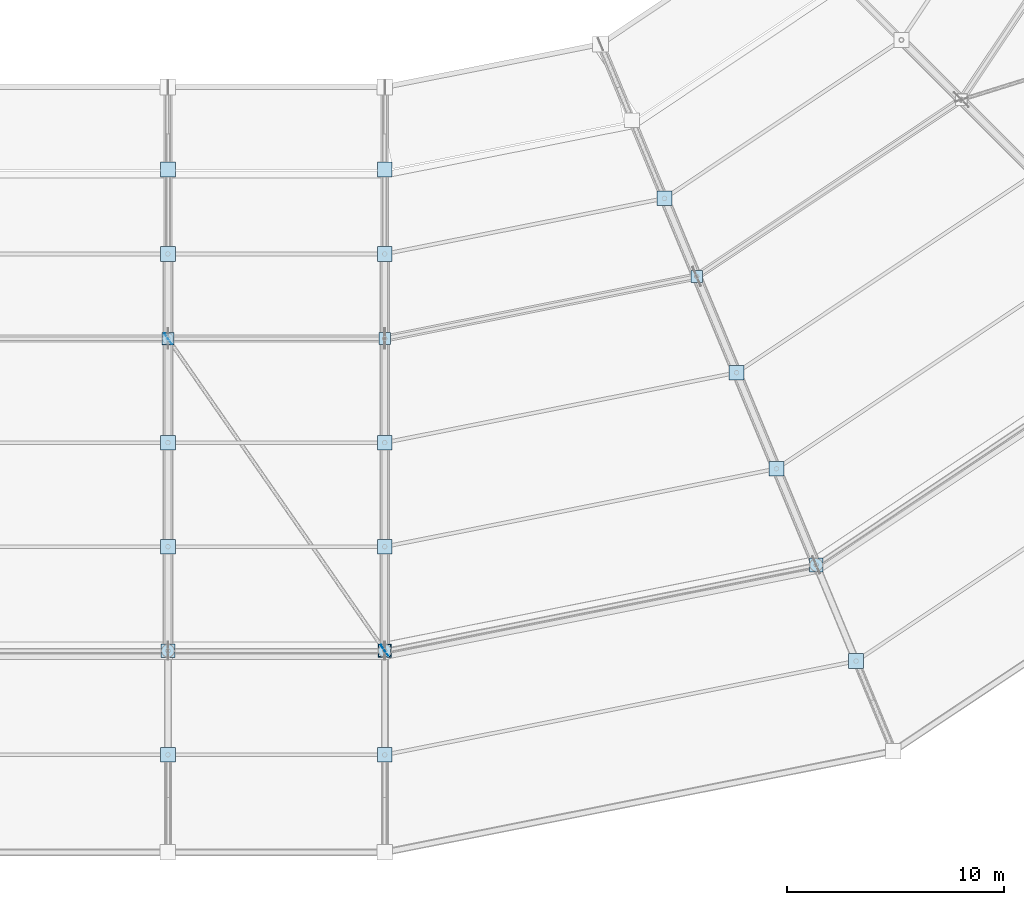
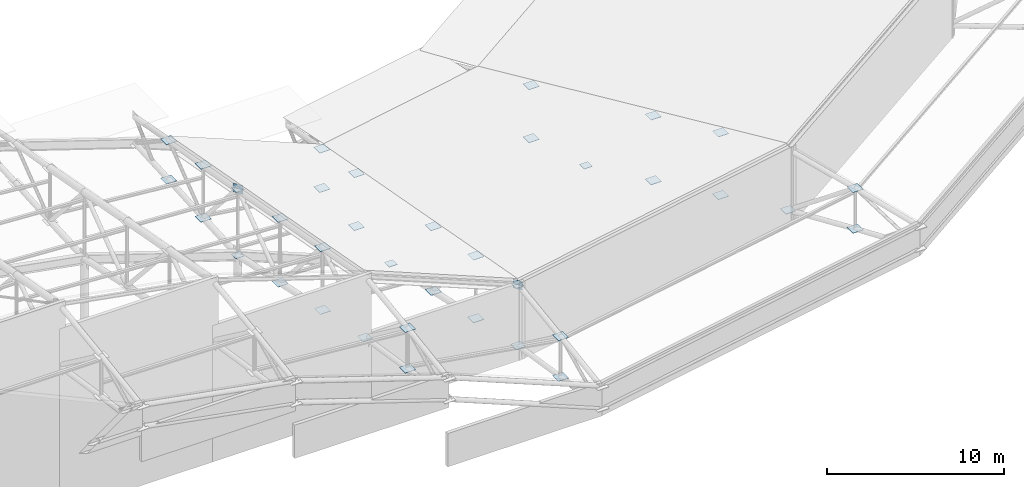
# One storey, part 135 of 146: 38 plates.
"""IFC4 building model written with IfcOpenShell, lengths in metres."""

from ifc_helpers import new_model, si_unit, direction, frame, origin, origin_2d, place, context, subcontext, project, spatial, rectangle, extrude, material, layer, layer_set, type_object, element, save


model = new_model("IFC4")

# Units and contexts
model_context = context("Model", 3, precision=1e-05, world=origin(), true_north=direction((0.0, 1.0)))
body_context = subcontext(model_context, "Body", "Model", "MODEL_VIEW")
ifc_project = project(units=[si_unit("LENGTHUNIT", "METRE"), si_unit("AREAUNIT", "SQUARE_METRE"), si_unit("VOLUMEUNIT", "CUBIC_METRE"), si_unit("PLANEANGLEUNIT", "RADIAN"), si_unit("MASSUNIT", "GRAM", prefix="KILO")], contexts=[model_context])

# Site, building, storey
site_placement = place(None, origin())
site = spatial("IfcSite", under=ifc_project, at=site_placement, CompositionType="ELEMENT")
building_placement = place(site_placement, origin())
building = spatial("IfcBuilding", under=site, at=building_placement, Name="Candeia Ridge Stadium", CompositionType="ELEMENT")
storey_placement = place(building_placement, frame((0.0, 0.0, 31.800048828125)))
storey = spatial("IfcBuildingStorey", under=building, at=storey_placement, Name="RF", CompositionType="ELEMENT", Elevation=31.800048828125)

# Plates
ifc_material = material(Name="Steel ASTM A572 Grade 50", Category="steel")
ifc_layer_1 = layer(ifc_material, 0.02490234375, Name="Steel ASTM A572 Grade 50", Category="steel")
ifc_layer_set_1 = layer_set([ifc_layer_1], Name="Steel ASTM A572 Grade 50")
plate_type_1 = type_object("IfcPlateType", Name="Hollow Section End Closure Plate CP1", PredefinedType="SHEET", material=ifc_layer_set_1)
plate_1_placement = place(storey_placement, frame((131.0, 33.39990234375, 1.402099609375), z_axis=(0.0, 0.0, 1.0), x_axis=(1.0, 0.0, 0.0)))
element("IfcPlate", 1, at=plate_1_placement, inside=storey, type_object=plate_type_1, Name="Hollow section end closure plate MCAP-T-BC-MD-24", PredefinedType="SHEET", context=body_context, shape_type="SweptSolid", body=[
    extrude(rectangle(XDim=0.5400390625, YDim=0.5400390625, at=origin_2d()), origin(), (0.0, 0.0, 1.0), 0.02490234375),
])
plate_2_placement = place(storey_placement, frame((131.0, 19.0, 4.466064453125), z_axis=(0.0, 0.0, 1.0), x_axis=(1.0, 0.0, 0.0)))
element("IfcPlate", 2, at=plate_2_placement, inside=storey, type_object=plate_type_1, Name="Hollow section end closure plate MCAP-T-BC-OU-24", PredefinedType="SHEET", context=body_context, shape_type="SweptSolid", body=[
    extrude(rectangle(XDim=0.639892578125, YDim=0.639892578125, at=origin_2d()), origin(), (0.0, 0.0, 1.0), 0.02490234375),
])
plate_3_placement = place(storey_placement, frame((141.0, 33.39990234375, -2.676513671875), z_axis=(0.0, 0.0, 1.0), x_axis=(1.0, 0.0, 0.0)))
element("IfcPlate", 3, at=plate_3_placement, inside=storey, type_object=plate_type_1, Name="Hollow section end closure plate MCAP-T-BC-MD-25", PredefinedType="SHEET", context=body_context, shape_type="SweptSolid", body=[
    extrude(rectangle(XDim=0.5400390625, YDim=0.5400390625, at=origin_2d()), origin(), (0.0, 0.0, 1.0), 0.02490234375),
])
plate_4_placement = place(storey_placement, frame((141.0, 19.0, 0.387451171875), z_axis=(0.0, 0.0, 1.0), x_axis=(1.0, 0.0, 0.0)))
element("IfcPlate", 4, at=plate_4_placement, inside=storey, type_object=plate_type_1, Name="Hollow section end closure plate MCAP-T-BC-OU-25", PredefinedType="SHEET", context=body_context, shape_type="SweptSolid", body=[
    extrude(rectangle(XDim=0.639892578125, YDim=0.639892578125, at=origin_2d()), origin(), (0.0, 0.0, 1.0), 0.02490234375),
])
plate_5_placement = place(storey_placement, frame((155.388916015625, 36.26220703125, -2.676513671875), z_axis=(0.0, 0.0, 1.0), x_axis=(1.0, 0.0, 0.0)))
element("IfcPlate", 5, at=plate_5_placement, inside=storey, type_object=plate_type_1, Name="Hollow section end closure plate MCAP-T-BC-MD-26", PredefinedType="SHEET", context=body_context, shape_type="SweptSolid", body=[
    extrude(rectangle(XDim=0.5400390625, YDim=0.5400390625, at=origin_2d()), origin(), (0.0, 0.0, 1.0), 0.02490234375),
])
plate_6_placement = place(storey_placement, frame((160.899658203125, 22.958251953125, 0.387451171875), z_axis=(0.0, 0.0, 1.0), x_axis=(1.0, 0.0, 0.0)))
element("IfcPlate", 6, at=plate_6_placement, inside=storey, type_object=plate_type_1, Name="Hollow section end closure plate MCAP-T-BC-OU-26", PredefinedType="SHEET", context=body_context, shape_type="SweptSolid", body=[
    extrude(rectangle(XDim=0.639892578125, YDim=0.639892578125, at=origin_2d()), origin(), (0.0, 0.0, 1.0), 0.02490234375),
])
ifc_layer_2 = layer(ifc_material, 0.02490234375, Name="Steel ASTM A572 Grade 50", Category="steel")
ifc_layer_set_2 = layer_set([ifc_layer_2], Name="Steel ASTM A572 Grade 50")
plate_type_2 = type_object("IfcPlateType", Name="Hollow Section End Closure Plate CP3", PredefinedType="SHEET", material=ifc_layer_set_2)
for number, where, z_axis, x_axis, name in (
    (7, (131.0, 41.199951171875, 4.60888671875), (0.0, 0.0, 1.0), (1.0, 0.0, 0.0), "Hollow section end closure plate NCAP-T-24-1"),
    (8, (131.0, 41.199951171875, 1.891845703125), (0.0, 0.0, 1.0), (1.0, 0.0, 0.0), "Hollow section end closure plate NCAP-B-24-1"),
    (9, (131.0, 37.300048828125, 5.280517578125), (0.0, 0.0, 1.0), (1.0, 0.0, 0.0), "Hollow section end closure plate NCAP-T-24-2"),
    (10, (131.0, 37.300048828125, 1.621826171875), (0.0, 0.0, 1.0), (1.0, 0.0, 0.0), "Hollow section end closure plate NCAP-B-24-2"),
    (11, (131.0, 28.60009765625, 6.889892578125), (0.0, 0.0, 1.0), (1.0, 0.0, 0.0), "Hollow section end closure plate NCAP-T-24-4"),
    (12, (131.0, 28.60009765625, 2.42333984375), (0.0, 0.0, 1.0), (1.0, 0.0, 0.0), "Hollow section end closure plate NCAP-B-24-4"),
    (13, (131.0, 23.800048828125, 7.778076171875), (0.0, 0.0, 1.0), (1.0, 0.0, 0.0), "Hollow section end closure plate NCAP-T-24-5"),
    (14, (131.0, 23.800048828125, 3.444580078125), (0.0, 0.0, 1.0), (1.0, 0.0, 0.0), "Hollow section end closure plate NCAP-B-24-5"),
    (15, (131.0, 14.199951171875, 8.0244140625), (0.0, 0.0, 1.0), (1.0, 0.0, 0.0), "Hollow section end closure plate NCAP-T-24-7"),
    (16, (131.0, 14.199951171875, 5.218017578125), (0.0, 0.0, 1.0), (1.0, 0.0, 0.0), "Hollow section end closure plate NCAP-B-24-7"),
):
    element("IfcPlate", number, at=place(storey_placement, frame(where, z_axis=z_axis, x_axis=x_axis)), inside=storey, type_object=plate_type_2, Name=name, PredefinedType="SHEET", context=body_context, shape_type="SweptSolid", body=[
        extrude(rectangle(XDim=0.679931640625, YDim=0.679931640625, at=origin_2d()), origin(), (0.0, 0.0, 1.0), 0.02490234375),
    ])
for number, where, z_axis, x_axis, name in (
    (17, (131.011474609375, 33.383544921875, 6.00048828125), (0.0, 0.0, 1.0), (1.0, 0.0, 0.0), "Hollow section end closure plate WBCAP-A-24"),
    (18, (140.988525390625, 19.016357421875, 4.589111328125), (0.0, 0.0, 1.0), (1.0, 0.0, 0.0), "Hollow section end closure plate WBCAP-B-24"),
):
    element("IfcPlate", number, at=place(storey_placement, frame(where, z_axis=z_axis, x_axis=x_axis)), inside=storey, type_object=plate_type_2, Name=name, PredefinedType="SHEET", context=body_context, shape_type="SweptSolid", body=[
        extrude(rectangle(XDim=0.550048828125, YDim=0.550048828125, at=origin_2d()), origin(), (0.0, 0.0, 1.0), 0.02490234375),
    ])
for number, where, z_axis, x_axis, name in (
    (19, (141.0, 41.199951171875, 0.530517578125), (0.0, 0.0, 1.0), (1.0, 0.0, 0.0), "Hollow section end closure plate NCAP-T-25-1"),
    (20, (141.0, 41.199951171875, -2.186767578125), (0.0, 0.0, 1.0), (1.0, 0.0, 0.0), "Hollow section end closure plate NCAP-B-25-1"),
    (21, (141.0, 37.300048828125, 1.201904296875), (0.0, 0.0, 1.0), (1.0, 0.0, 0.0), "Hollow section end closure plate NCAP-T-25-2"),
    (22, (141.0, 37.300048828125, -2.45654296875), (0.0, 0.0, 1.0), (1.0, 0.0, 0.0), "Hollow section end closure plate NCAP-B-25-2"),
    (23, (141.0, 28.60009765625, 2.8115234375), (0.0, 0.0, 1.0), (1.0, 0.0, 0.0), "Hollow section end closure plate NCAP-T-25-4"),
    (24, (141.0, 28.60009765625, -1.6552734375), (0.0, 0.0, 1.0), (1.0, 0.0, 0.0), "Hollow section end closure plate NCAP-B-25-4"),
    (25, (141.0, 23.800048828125, 3.699462890625), (0.0, 0.0, 1.0), (1.0, 0.0, 0.0), "Hollow section end closure plate NCAP-T-25-5"),
    (26, (141.0, 23.800048828125, -0.6337890625), (0.0, 0.0, 1.0), (1.0, 0.0, 0.0), "Hollow section end closure plate NCAP-B-25-5"),
    (27, (141.0, 14.199951171875, 3.94580078125), (0.0, 0.0, 1.0), (1.0, 0.0, 0.0), "Hollow section end closure plate NCAP-T-25-7"),
    (28, (141.0, 14.199951171875, 1.139404296875), (0.0, 0.0, 1.0), (1.0, 0.0, 0.0), "Hollow section end closure plate NCAP-B-25-7"),
    (29, (153.896484375, 39.865234375, 1.201904296875), (0.0, 0.0, 1.0), (1.0, 0.0, 0.0), "Hollow section end closure plate NCAP-T-26-2"),
    (30, (153.896484375, 39.865234375, -2.45654296875), (0.0, 0.0, 1.0), (1.0, 0.0, 0.0), "Hollow section end closure plate NCAP-B-26-2"),
    (31, (157.225830078125, 31.827392578125, 2.8115234375), (0.0, 0.0, 1.0), (1.0, 0.0, 0.0), "Hollow section end closure plate NCAP-T-26-4"),
    (32, (157.225830078125, 31.827392578125, -1.6552734375), (0.0, 0.0, 1.0), (1.0, 0.0, 0.0), "Hollow section end closure plate NCAP-B-26-4"),
    (33, (159.062744140625, 27.392822265625, 3.699462890625), (0.0, 0.0, 1.0), (1.0, 0.0, 0.0), "Hollow section end closure plate NCAP-T-26-5"),
    (34, (159.062744140625, 27.392822265625, -0.6337890625), (0.0, 0.0, 1.0), (1.0, 0.0, 0.0), "Hollow section end closure plate NCAP-B-26-5"),
    (35, (162.736328125, 18.523681640625, 3.94580078125), (0.0, 0.0, 1.0), (1.0, 0.0, 0.0), "Hollow section end closure plate NCAP-T-26-7"),
    (36, (162.736328125, 18.523681640625, 1.139404296875), (0.0, 0.0, 1.0), (1.0, 0.0, 0.0), "Hollow section end closure plate NCAP-B-26-7"),
):
    element("IfcPlate", number, at=place(storey_placement, frame(where, z_axis=z_axis, x_axis=x_axis)), inside=storey, type_object=plate_type_2, Name=name, PredefinedType="SHEET", context=body_context, shape_type="SweptSolid", body=[
        extrude(rectangle(XDim=0.679931640625, YDim=0.679931640625, at=origin_2d()), origin(), (0.0, 0.0, 1.0), 0.02490234375),
    ])
ifc_layer_3 = layer(ifc_material, 0.02392578125, Name="Steel ASTM A572 Grade 50", Category="steel")
ifc_layer_set_3 = layer_set([ifc_layer_3], Name="Steel ASTM A572 Grade 50")
plate_type_3 = type_object("IfcPlateType", Name="Roof Truss Chord-Web Node Gusset ND-3", PredefinedType="USERDEFINED", material=ifc_layer_set_3)
for number, where, z_axis, x_axis, name in (
    (37, (131.011474609375, 33.383544921875, 5.712890625), (0.0, 0.0, 1.0), (0.570395359839, -0.821370277934, 0.0), "Roof wind brace end gusset A bay 25"),
    (38, (140.988525390625, 19.016357421875, 4.301513671875), (0.0, 0.0, 1.0), (0.570395359839, -0.821370277934, 0.0), "Roof wind brace end gusset B bay 25"),
):
    element("IfcPlate", number, at=place(storey_placement, frame(where, z_axis=z_axis, x_axis=x_axis)), inside=storey, type_object=plate_type_3, Name=name, ObjectType="GUSSET PLATE", PredefinedType="USERDEFINED", context=body_context, shape_type="SweptSolid", body=[
        extrude(rectangle(XDim=0.60009765625, YDim=0.02392578125, at=origin_2d()), origin(), (0.0, 0.0, 1.0), 0.60009765625),
    ])

save(model, "model.ifc")
